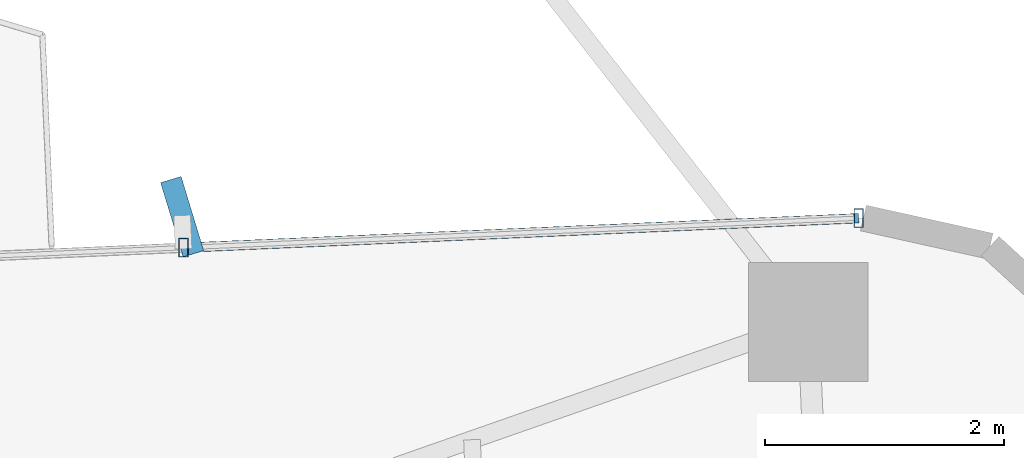
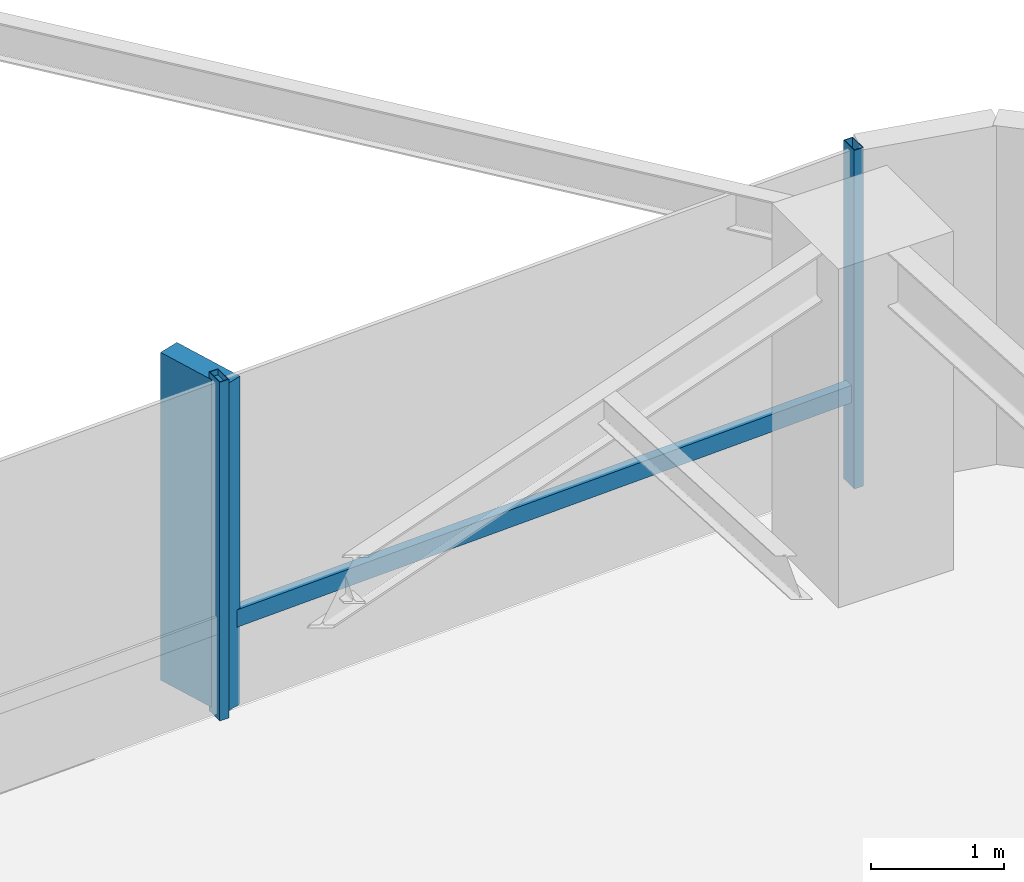
# One storey, part 20 of 26: 4 members, 1 element without a shape of its own.
"""IFC4 building model written with IfcOpenShell, lengths in metres."""

from ifc_helpers import new_model, si_unit, direction, frame, origin, origin_2d, place, context, subcontext, project, spatial, rectangle, hollow_rectangle, extrude, source, transform, mapped, material, material_profile, profile_set, type_object, element, aggregate, save


model = new_model("IFC4")

# Units and contexts
model_context = context("Model", 3, precision=1e-05, world=origin(), true_north=direction((0.0, 1.0)))
body_context = subcontext(model_context, "Body", "Model", "MODEL_VIEW")
ifc_project = project(units=[si_unit("LENGTHUNIT", "METRE"), si_unit("AREAUNIT", "SQUARE_METRE"), si_unit("VOLUMEUNIT", "CUBIC_METRE"), si_unit("PLANEANGLEUNIT", "RADIAN"), si_unit("MASSUNIT", "GRAM", prefix="KILO")], contexts=[model_context])

# Site, building, storey
site_placement = place(None, origin())
site = spatial("IfcSite", under=ifc_project, at=site_placement, CompositionType="ELEMENT")
building_placement = place(site_placement, origin())
building = spatial("IfcBuilding", under=site, at=building_placement, Name="Sahyath Konkavel Grand Hotel", CompositionType="ELEMENT")
storey_placement = place(building_placement, frame((0.0, 0.0, 121.5)))
storey = spatial("IfcBuildingStorey", under=building, at=storey_placement, Name="L33", CompositionType="ELEMENT", Elevation=121.5)

# Curtain wall, members
ifc_material_1 = material(Name="Anodised Bronze Aluminium & Low-E Glazing", Category="aluminium")
curtain_wall_type = type_object("IfcCurtainWallType", Name="CW-ZONE2", PredefinedType="NOTDEFINED", material=ifc_material_1)
curtain_wall_placement = place(storey_placement, origin())
curtain_wall = element("IfcCurtainWall", 1, at=curtain_wall_placement, inside=storey, type_object=curtain_wall_type, Name="L33 Unitised Curtain Wall F7", PredefinedType="NOTDEFINED")
ifc_material_2 = material(Name="Warm Buff Sandstone Cladding on Concrete C50/60", Category="masonry")
ifc_material_profile_1 = material_profile(ifc_material_2, rectangle(XDim=0.179931640625, YDim=0.64990234375, at=origin_2d()), Name="FIN 180x650")
ifc_profile_set_1 = profile_set([ifc_material_profile_1], Name="Warm Buff Sandstone Cladding on Concrete C50/60")
member_type_1 = type_object("IfcMemberType", Name="FIN-SANDSTONE-650", PredefinedType="MULLION", material=ifc_profile_set_1)
shared_shape_1 = source(origin(), body_context, "Body", "SweptSolid", [
    extrude(rectangle(XDim=0.179931640625, YDim=0.64990234375, at=origin_2d()), origin(), (0.0, 0.0, 1.0), 3.010009765625),
])
member_1_placement = place(storey_placement, frame((11.989013671875, 7.39013671875, 0.050048828125), z_axis=(0.0, 0.0, 1.0), x_axis=(0.956610402488, 0.291370104596, 0.0)))
member_1 = element("IfcMember", 2, at=member_1_placement, type_object=member_type_1, Name="L33 Sandstone Vertical Solar Fin FIN F7-1", PredefinedType="MULLION", context=body_context, shape_type="MappedRepresentation", body=[
    mapped(shared_shape_1, transform((0.0, 0.0, 0.0), scale=1.0)),
])
ifc_material_3 = material(Name="Anodised Bronze Aluminium", Category="aluminium")
ifc_material_profile_2 = material_profile(ifc_material_3, hollow_rectangle(XDim=0.080078125, YDim=0.159912109375, WallThickness=0.006103515625, at=origin_2d()), Name="RHS 160x80x6")
ifc_profile_set_2 = profile_set([ifc_material_profile_2], Name="Anodised Bronze Aluminium")
member_type_2 = type_object("IfcMemberType", Name="CW-MUL-160", PredefinedType="MULLION", material=ifc_profile_set_2)
shared_shape_2 = source(origin(), body_context, "Body", "SweptSolid", [
    extrude(hollow_rectangle(XDim=0.080078125, YDim=0.159912109375, WallThickness=0.006103515625, at=origin_2d()), origin(), (0.0, 0.0, 1.0), 3.110107421875),
])
member_2_placement = place(storey_placement, frame((17.655029296875, 7.377197265625, 0.0), z_axis=(0.0, 0.0, 1.0), x_axis=(1.0, 0.0, 0.0)))
member_2 = element("IfcMember", 3, at=member_2_placement, type_object=member_type_2, Name="L33 Curtain Wall Mullion F7-0", PredefinedType="MULLION", context=body_context, shape_type="MappedRepresentation", body=[
    mapped(shared_shape_2, transform((0.0, 0.0, 0.0), scale=1.0)),
])
member_3_placement = place(storey_placement, frame((12.00048828125, 7.13037109375, 0.0), z_axis=(0.0, 0.0, 1.0), x_axis=(1.0, 0.0, 0.0)))
member_3 = element("IfcMember", 4, at=member_3_placement, type_object=member_type_2, Name="L33 Curtain Wall Mullion F7-1", PredefinedType="MULLION", context=body_context, shape_type="MappedRepresentation", body=[
    mapped(shared_shape_2, transform((0.0, 0.0, 0.0), scale=1.0)),
])
ifc_material_profile_3 = material_profile(ifc_material_3, hollow_rectangle(XDim=0.080078125, YDim=0.159912109375, WallThickness=0.006103515625, at=origin_2d()), Name="RHS 160x80x6")
ifc_profile_set_3 = profile_set([ifc_material_profile_3], Name="Anodised Bronze Aluminium")
member_type_3 = type_object("IfcMemberType", Name="CW-TRN-160", PredefinedType="USERDEFINED", material=ifc_profile_set_3)
shared_shape_3 = source(origin(), body_context, "Body", "SweptSolid", [
    extrude(hollow_rectangle(XDim=0.080078125, YDim=0.159912109375, WallThickness=0.006103515625, at=origin_2d()), origin(), (0.0, 0.0, 1.0), 5.659912109375),
])
member_4_placement = place(storey_placement, frame((17.655029296875, 7.377197265625, 0.85009765625), z_axis=(-0.999048655935, -0.043609437898, 0.0), x_axis=(0.043609437898, -0.999048655935, 0.0)))
member_4 = element("IfcMember", 5, at=member_4_placement, type_object=member_type_3, Name="L33 Curtain Wall Transom F7-0-spandrel", ObjectType="TRANSOM", PredefinedType="USERDEFINED", context=body_context, shape_type="MappedRepresentation", body=[
    mapped(shared_shape_3, transform((0.0, 0.0, 0.0), scale=1.0)),
])
aggregate(curtain_wall, [member_2, member_3, member_1, member_4])

save(model, "model.ifc")
